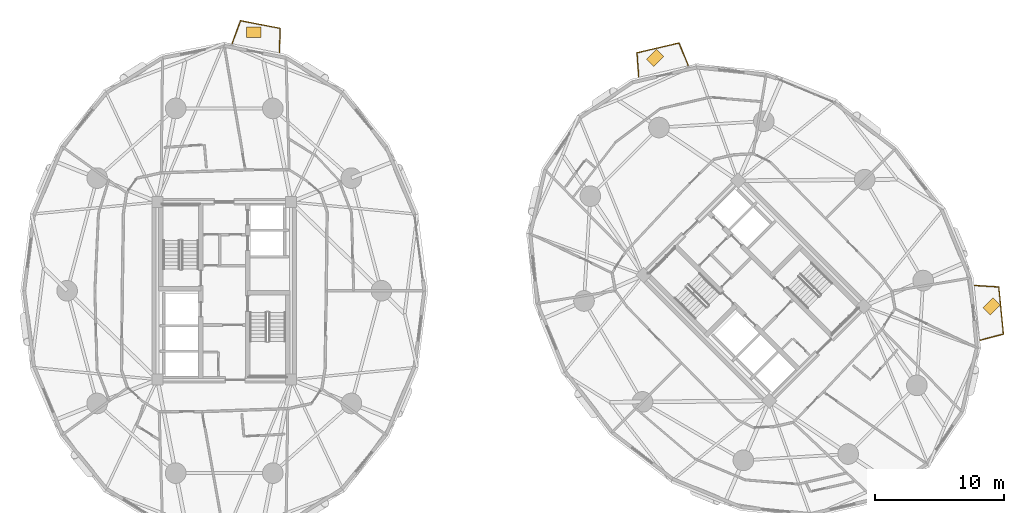
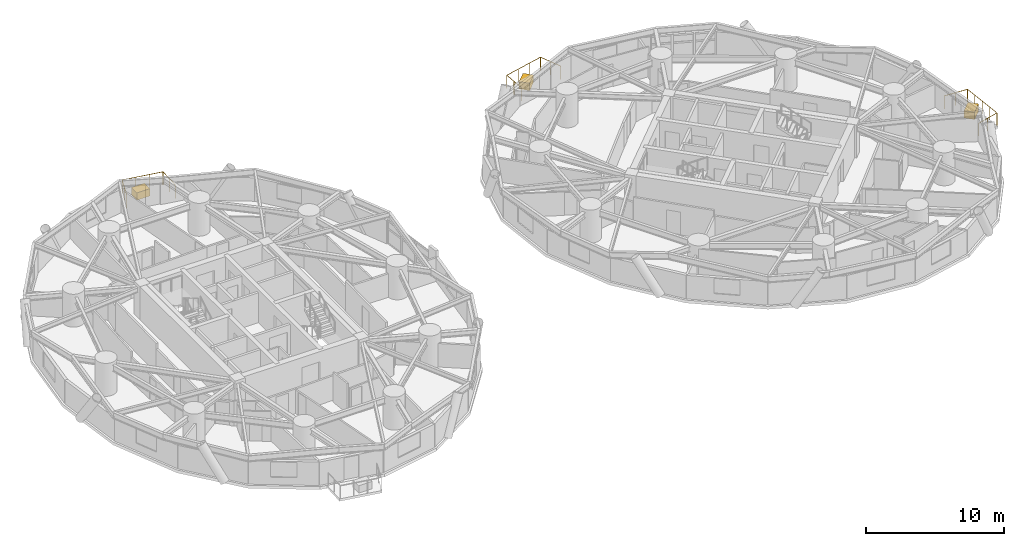
# One storey, part 19 of 19: 3 coverings, 3 railings.
"""IFC4 building model written with IfcOpenShell, lengths in metres."""

import ifcopenshell
import ifcopenshell.guid

model = None  # the IFC model being written
_history = None  # IfcOwnerHistory: only IFC2X3 demands one
_inside = {}  # id of a spatial element -> (the spatial element, [elements in it])
_under = {}  # id of a project, library or spatial element -> (it, [spatial elements below it])
_declared = {}  # id of a project -> (the project, [libraries it declares])
_typed = {}  # id of a type object -> (the type object, [elements of that type])
_made_of = {}  # id of a material, layer set ... -> (it, [elements and type objects made of it])


def new_model(schema):
    """Start an empty IFC model of exactly this schema.

    Asked for "IFC4X3", IfcOpenShell would pick the latest addendum, in which some entities
    have other attributes; the version numbers below select the first issue.
    IFC2X3 requires an IfcOwnerHistory on every rooted entity: one is made here for all.
    """
    global model, _history
    if schema == "IFC4X3":
        model = ifcopenshell.file(schema_version=(4, 3, 0, 0))
    else:
        model = ifcopenshell.file(schema=schema)
    _inside.clear()
    _under.clear()
    _declared.clear()
    _typed.clear()
    _made_of.clear()
    _history = None
    if model.schema == "IFC2X3":
        org = make("IfcOrganization", Name="unknown")
        user = make(
            "IfcPersonAndOrganization",
            ThePerson=make("IfcPerson", FamilyName="unknown"),
            TheOrganization=org,
        )
        app = make(
            "IfcApplication",
            ApplicationDeveloper=org,
            Version="unknown",
            ApplicationFullName="unknown",
            ApplicationIdentifier="unknown",
        )
        _history = make(
            "IfcOwnerHistory",
            OwningUser=user,
            OwningApplication=app,
            ChangeAction="ADDED",
            CreationDate=0,
        )
    return model


def make(cls, **values):
    """One entity of the class cls with the attributes given. An attribute that is None is left unset."""
    return model.create_entity(
        cls, **{name: value for name, value in values.items() if value is not None}
    )


def rooted(cls, **values):
    """An entity with a GlobalId (a new one), such as an element, a storey or a relation."""
    return make(cls, GlobalId=ifcopenshell.guid.new(), OwnerHistory=_history, **values)


def si_unit(unit_type, name, prefix=None):
    """IfcSIUnit, for example si_unit("LENGTHUNIT", "METRE", prefix="MILLI")."""
    return make("IfcSIUnit", UnitType=unit_type, Prefix=prefix, Name=name)


def assignment(units):
    """IfcUnitAssignment: the units of a project."""
    return None if units is None else make("IfcUnitAssignment", Units=units)


def point(xyz):
    """IfcCartesianPoint."""
    return None if xyz is None else make("IfcCartesianPoint", Coordinates=xyz)


def direction(xyz):
    """IfcDirection."""
    return None if xyz is None else make("IfcDirection", DirectionRatios=xyz)


def frame(location, z_axis=None, x_axis=None):
    """IfcAxis2Placement3D, a coordinate frame: its origin and axes. An axis left out is left unset."""
    return make(
        "IfcAxis2Placement3D",
        Location=point(location),
        Axis=direction(z_axis),
        RefDirection=direction(x_axis),
    )


def frame_2d(location, x_axis=None):
    """IfcAxis2Placement2D, a coordinate frame in the plane: its origin and x axis."""
    return make(
        "IfcAxis2Placement2D", Location=point(location), RefDirection=direction(x_axis)
    )


def origin():
    """The frame at (0, 0, 0) with its axes left unset."""
    return frame((0.0, 0.0, 0.0))


def origin_2d():
    """The frame at (0, 0) in the plane with its x axis left unset."""
    return frame_2d((0.0, 0.0))


def place(relative_to, where):
    """IfcLocalPlacement: puts the frame where relative to a parent placement (None: the world)."""
    return make(
        "IfcLocalPlacement", PlacementRelTo=relative_to, RelativePlacement=where
    )


def context(
    kind, dimensions, precision=None, world=None, true_north=None, identifier=None
):
    """IfcGeometricRepresentationContext, for example the 3D "Model" context."""
    return make(
        "IfcGeometricRepresentationContext",
        ContextIdentifier=identifier,
        ContextType=kind,
        CoordinateSpaceDimension=dimensions,
        Precision=precision,
        WorldCoordinateSystem=world,
        TrueNorth=true_north,
    )


def subcontext(parent, identifier, kind, view, scale=None):
    """IfcGeometricRepresentationSubContext, for example "Body" below "Model"."""
    return make(
        "IfcGeometricRepresentationSubContext",
        ContextIdentifier=identifier,
        ContextType=kind,
        ParentContext=parent,
        TargetScale=scale,
        TargetView=view,
    )


def project(units=None, contexts=None):
    """IfcProject with its units and contexts."""
    return rooted(
        "IfcProject",
        Name="project",
        RepresentationContexts=contexts,
        UnitsInContext=assignment(units),
    )


def spatial(cls, under=None, at=None, **own):
    """A site, building, storey or space (cls), placed at a placement, below another one or the project."""
    s = rooted(cls, ObjectPlacement=at, **own)
    if under is not None:
        _under.setdefault(under.id(), (under, []))[1].append(s)
    return s


def profile(cls, at=None, kind="AREA", **sizes):
    """A parametric profile (cls). Its sizes go by their IFC names, for example OverallWidth=200.0."""
    return make(cls, ProfileType=kind, Position=at, **sizes)


def rectangle(**sizes):
    """IfcRectangleProfileDef."""
    return profile("IfcRectangleProfileDef", **sizes)


def circle(**sizes):
    """IfcCircleProfileDef."""
    return profile("IfcCircleProfileDef", **sizes)


def extrude(swept, where, along, depth):
    """IfcExtrudedAreaSolid: the profile swept, set in the frame where, extruded along a direction by depth."""
    return make(
        "IfcExtrudedAreaSolid",
        SweptArea=swept,
        Position=where,
        ExtrudedDirection=direction(along),
        Depth=depth,
    )


def shape(context_of_items, identifier, shape_type, items):
    """IfcShapeRepresentation: the items that make up one representation, for example the "Body"."""
    return make(
        "IfcShapeRepresentation",
        ContextOfItems=context_of_items,
        RepresentationIdentifier=identifier,
        RepresentationType=shape_type,
        Items=items,
    )


def source(mapping_origin, context_of_items, identifier, shape_type, items):
    """IfcRepresentationMap: a shape defined once, which mapped items show again and again."""
    return make(
        "IfcRepresentationMap",
        MappingOrigin=mapping_origin,
        MappedRepresentation=shape(context_of_items, identifier, shape_type, items),
    )


def transform(
    local_origin,
    x_axis=None,
    y_axis=None,
    z_axis=None,
    scale=None,
    scale2=None,
    scale3=None,
    uniform=True,
):
    """IfcCartesianTransformationOperator3D, or its non-uniform kind. x_axis, y_axis, z_axis: its Axis1, 2, 3."""
    if uniform:
        return make(
            "IfcCartesianTransformationOperator3D",
            Axis1=direction(x_axis),
            Axis2=direction(y_axis),
            LocalOrigin=point(local_origin),
            Scale=scale,
            Axis3=direction(z_axis),
        )
    return make(
        "IfcCartesianTransformationOperator3DnonUniform",
        Axis1=direction(x_axis),
        Axis2=direction(y_axis),
        LocalOrigin=point(local_origin),
        Scale=scale,
        Axis3=direction(z_axis),
        Scale2=scale2,
        Scale3=scale3,
    )


def mapped(mapping_source, mapping_target):
    """IfcMappedItem: shows the shape of a source again, moved by a transform."""
    return make(
        "IfcMappedItem", MappingSource=mapping_source, MappingTarget=mapping_target
    )


def material(Name=None, Category=None):
    """IfcMaterial."""
    return make("IfcMaterial", Name=Name, Category=Category)


def layer(
    of_material, thickness, ventilated=None, Name=None, Category=None, Priority=None
):
    """IfcMaterialLayer: one layer of a wall or slab, of a material (None: an air gap)."""
    return make(
        "IfcMaterialLayer",
        Material=of_material,
        LayerThickness=thickness,
        IsVentilated=ventilated,
        Name=Name,
        Category=Category,
        Priority=Priority,
    )


def layer_set(layers, Name=None):
    """IfcMaterialLayerSet."""
    return make("IfcMaterialLayerSet", MaterialLayers=layers, LayerSetName=Name)


def made_of(thing, what):
    """Note that an element or type object is made of a material, layer set ...; save() writes the relation."""
    if what is not None:
        _made_of.setdefault(what.id(), (what, []))[1].append(thing)
    return thing


def type_object(cls, material=None, **own):
    """A type object (cls), such as IfcWallType, which elements share."""
    return made_of(rooted(cls, **own), material)


def element(
    cls,
    number,
    at=None,
    inside=None,
    cuts=None,
    type_object=None,
    material=None,
    context=None,
    identifier="Body",
    shape_type=None,
    held_by="IfcProductDefinitionShape",
    body=None,
    shapes=None,
    **own,
):
    """One element of the class cls, such as IfcWall. Its Tag is "e" and its number.

    at: its placement. inside: the storey or other place that contains it. cuts: it is an
    opening in that element (IfcRelVoidsElement). A single representation is given by context,
    identifier, shape_type and body (its items); several are given by shapes. held_by: the class
    of the entity that holds the representations. save() writes the other relations.
    """
    e = rooted(cls, Tag="e%d" % number, ObjectPlacement=at, **own)
    if body is not None:
        shapes = [shape(context, identifier, shape_type, body)]
    if shapes is not None:
        e.Representation = make(held_by, Representations=shapes)
    if inside is not None:
        _inside.setdefault(inside.id(), (inside, []))[1].append(e)
    if cuts is not None:
        rooted(
            "IfcRelVoidsElement", RelatingBuildingElement=cuts, RelatedOpeningElement=e
        )
    if type_object is not None:
        _typed.setdefault(type_object.id(), (type_object, []))[1].append(e)
    return made_of(e, material)


def aggregate(whole, parts):
    """IfcRelAggregates: a whole, such as a stair, and the parts it consists of."""
    return rooted("IfcRelAggregates", RelatingObject=whole, RelatedObjects=parts)


def save(model, path):
    """Write the relations noted so far, then the file.

    IfcRelAggregates (storeys below a building ...), IfcRelContainedInSpatialStructure (elements
    in a storey), IfcRelDefinesByType, IfcRelAssociatesMaterial and IfcRelDeclares: one each for
    every whole, place, type object, material and project.
    """
    for whole, parts in _under.values():
        aggregate(whole, parts)
    for where, things in _inside.values():
        rooted(
            "IfcRelContainedInSpatialStructure",
            RelatedElements=things,
            RelatingStructure=where,
        )
    for kind, things in _typed.values():
        rooted("IfcRelDefinesByType", RelatedObjects=things, RelatingType=kind)
    for what, things in _made_of.values():
        rooted("IfcRelAssociatesMaterial", RelatedObjects=things, RelatingMaterial=what)
    for by, libraries in _declared.values():
        rooted("IfcRelDeclares", RelatingContext=by, RelatedDefinitions=libraries)
    model.write(path)


model = new_model("IFC4")

# Units and contexts
model_context = context("Model", 3, precision=1e-05, world=origin(), true_north=direction((0.0, 1.0)))
body_context = subcontext(model_context, "Body", "Model", "MODEL_VIEW")
ifc_project = project(units=[si_unit("LENGTHUNIT", "METRE"), si_unit("AREAUNIT", "SQUARE_METRE"), si_unit("VOLUMEUNIT", "CUBIC_METRE"), si_unit("PLANEANGLEUNIT", "RADIAN"), si_unit("MASSUNIT", "GRAM", prefix="KILO")], contexts=[model_context])

# Site, building, storey
site_placement = place(None, origin())
site = spatial("IfcSite", under=ifc_project, at=site_placement, CompositionType="ELEMENT")
building_placement = place(site_placement, origin())
building = spatial("IfcBuilding", under=site, at=building_placement, Name="Cununo Teusaquillo Station Towers", CompositionType="ELEMENT")
storey_placement = place(building_placement, frame((0.0, 0.0, 42.3701171875)))
storey = spatial("IfcBuildingStorey", under=building, at=storey_placement, Name="L12", CompositionType="ELEMENT", Elevation=42.3701171875)

# Railings
ifc_material_1 = material(Name="Anodised dark bronze aluminium EN AW-6063-T6", Category="aluminium")
railing_type_1 = type_object("IfcRailingType", Name="RL-EXT-BALUS", PredefinedType="BALUSTRADE", material=ifc_material_1)
railing_1_placement = place(storey_placement, frame((17.1181640625, 43.671875, 0.0)))
element("IfcRailing", 1, at=railing_1_placement, inside=storey, type_object=railing_type_1, Name="L12 Tower A Balcony Guardrail C04", PredefinedType="BALUSTRADE", context=body_context, shape_type="SweptSolid", body=[
    extrude(circle(Radius=0.02392578125, at=origin_2d()), frame((0.0, 0.0, 1.17578125), z_axis=(0.343888798081, 0.93901038043, 0.0), x_axis=(-0.93901038043, 0.343888798081, 0.0)), (0.0, 0.0, 1.0), 1.86279296875),
    extrude(circle(Radius=0.02392578125, at=origin_2d()), frame((0.640625, 1.749267578125, 1.17578125), z_axis=(0.981838510886, -0.189718577217, 0.0), x_axis=(0.189718577217, 0.981838510886, 0.0)), (0.0, 0.0, 1.0), 3.12841796875),
    extrude(circle(Radius=0.02392578125, at=origin_2d()), frame((3.712158203125, 1.15576171875, 1.17578125), z_axis=(-0.030666047799, -0.999529686159, 0.0), x_axis=(0.999529686159, -0.030666047799, 0.0)), (0.0, 0.0, 1.0), 1.863037109375),
    extrude(circle(Radius=0.02099609375, at=origin_2d()), origin(), (0.0, 0.0, 1.0), 1.15185546875),
    extrude(circle(Radius=0.02099609375, at=origin_2d()), frame((0.3203125, 0.87451171875, 0.0)), (0.0, 0.0, 1.0), 1.15185546875),
    extrude(circle(Radius=0.02099609375, at=origin_2d()), frame((0.640625, 1.749267578125, 0.0)), (0.0, 0.0, 1.0), 1.15185546875),
    extrude(circle(Radius=0.02099609375, at=origin_2d()), frame((1.66455078125, 1.551513671875, 0.0)), (0.0, 0.0, 1.0), 1.15185546875),
    extrude(circle(Radius=0.02099609375, at=origin_2d()), frame((2.688232421875, 1.353515625, 0.0)), (0.0, 0.0, 1.0), 1.15185546875),
    extrude(circle(Radius=0.02099609375, at=origin_2d()), frame((3.712158203125, 1.15576171875, 0.0)), (0.0, 0.0, 1.0), 1.15185546875),
    extrude(circle(Radius=0.02099609375, at=origin_2d()), frame((3.68359375, 0.224609375, 0.0)), (0.0, 0.0, 1.0), 1.15185546875),
    extrude(circle(Radius=0.02099609375, at=origin_2d()), frame((3.655029296875, -0.706298828125, 0.0)), (0.0, 0.0, 1.0), 1.15185546875),
])
railing_2_placement = place(storey_placement, frame((48.599609375, 41.072998046875, 0.0)))
element("IfcRailing", 2, at=railing_2_placement, inside=storey, type_object=railing_type_1, Name="L12 Tower B Balcony Guardrail C03", PredefinedType="BALUSTRADE", context=body_context, shape_type="SweptSolid", body=[
    extrude(circle(Radius=0.02392578125, at=origin_2d()), frame((0.0, 0.0, 1.17578125), z_axis=(-0.069071464102, 0.99761171447, 0.0), x_axis=(-0.99761171447, -0.069071464102, 0.0)), (0.0, 0.0, 1.0), 1.8662109375),
    extrude(circle(Radius=0.02392578125, at=origin_2d()), frame((-0.12890625, 1.86181640625, 1.17578125), z_axis=(0.973837434366, 0.227245795181, 0.0), x_axis=(-0.227245795181, 0.973837434366, 0.0)), (0.0, 0.0, 1.0), 3.339111328125),
    extrude(circle(Radius=0.02392578125, at=origin_2d()), frame((3.122802734375, 2.62060546875, 1.17578125), z_axis=(0.379697009534, -0.925110901974, 0.0), x_axis=(0.925110901974, 0.379697009534, 0.0)), (0.0, 0.0, 1.0), 1.86669921875),
    extrude(circle(Radius=0.02099609375, at=origin_2d()), origin(), (0.0, 0.0, 1.0), 1.15185546875),
    extrude(circle(Radius=0.02099609375, at=origin_2d()), frame((-0.064453125, 0.930908203125, 0.0)), (0.0, 0.0, 1.0), 1.15185546875),
    extrude(circle(Radius=0.02099609375, at=origin_2d()), frame((-0.12890625, 1.86181640625, 0.0)), (0.0, 0.0, 1.0), 1.15185546875),
    extrude(circle(Radius=0.02099609375, at=origin_2d()), frame((0.955078125, 2.11474609375, 0.0)), (0.0, 0.0, 1.0), 1.15185546875),
    extrude(circle(Radius=0.02099609375, at=origin_2d()), frame((2.038818359375, 2.36767578125, 0.0)), (0.0, 0.0, 1.0), 1.15185546875),
    extrude(circle(Radius=0.02099609375, at=origin_2d()), frame((3.122802734375, 2.62060546875, 0.0)), (0.0, 0.0, 1.0), 1.15185546875),
    extrude(circle(Radius=0.02099609375, at=origin_2d()), frame((3.47705078125, 1.75732421875, 0.0)), (0.0, 0.0, 1.0), 1.15185546875),
    extrude(circle(Radius=0.02099609375, at=origin_2d()), frame((3.83154296875, 0.893798828125, 0.0)), (0.0, 0.0, 1.0), 1.15185546875),
])
ifc_material_2 = material(Name="Anodised dark bronze aluminium EN AW-6063-T6", Category="aluminium")
railing_type_2 = type_object("IfcRailingType", Name="RL-EXT-GUARD", PredefinedType="GUARDRAIL", material=ifc_material_2)
railing_3_placement = place(storey_placement, frame((74.62548828125, 24.908935546875, 0.0)))
element("IfcRailing", 3, at=railing_3_placement, inside=storey, type_object=railing_type_2, Name="L12 Tower B Balcony Guardrail C17", PredefinedType="GUARDRAIL", context=body_context, shape_type="SweptSolid", body=[
    extrude(circle(Radius=0.02392578125, at=origin_2d()), frame((0.0, 0.0, 1.1259765625), z_axis=(0.998125995289, -0.06119229958, 0.0), x_axis=(0.06119229958, 0.998125995289, 0.0)), (0.0, 0.0, 1.0), 1.87109375),
    extrude(circle(Radius=0.02392578125, at=origin_2d()), frame((1.86767578125, -0.114501953125, 1.1259765625), z_axis=(0.098626153008, -0.995124555994, 0.0), x_axis=(0.995124555994, 0.098626153008, 0.0)), (0.0, 0.0, 1.0), 3.66357421875),
    extrude(circle(Radius=0.02392578125, at=origin_2d()), frame((2.22900390625, -3.76025390625, 1.1259765625), z_axis=(-0.966711872739, -0.255867456127, 0.0), x_axis=(0.255867456127, -0.966711872739, 0.0)), (0.0, 0.0, 1.0), 1.87109375),
    extrude(circle(Radius=0.02099609375, at=origin_2d()), origin(), (0.0, 0.0, 1.0), 1.101806640625),
    extrude(circle(Radius=0.02099609375, at=origin_2d()), frame((0.933837890625, -0.05712890625, 0.0)), (0.0, 0.0, 1.0), 1.101806640625),
    extrude(circle(Radius=0.02099609375, at=origin_2d()), frame((1.86767578125, -0.114501953125, 0.0)), (0.0, 0.0, 1.0), 1.101806640625),
    extrude(circle(Radius=0.02099609375, at=origin_2d()), frame((1.9580078125, -1.02587890625, 0.0)), (0.0, 0.0, 1.0), 1.101806640625),
    extrude(circle(Radius=0.02099609375, at=origin_2d()), frame((2.04833984375, -1.9375, 0.0)), (0.0, 0.0, 1.0), 1.101806640625),
    extrude(circle(Radius=0.02099609375, at=origin_2d()), frame((2.138671875, -2.848876953125, 0.0)), (0.0, 0.0, 1.0), 1.101806640625),
    extrude(circle(Radius=0.02099609375, at=origin_2d()), frame((2.22900390625, -3.76025390625, 0.0)), (0.0, 0.0, 1.0), 1.101806640625),
    extrude(circle(Radius=0.02099609375, at=origin_2d()), frame((1.32470703125, -3.99951171875, 0.0)), (0.0, 0.0, 1.0), 1.101806640625),
    extrude(circle(Radius=0.02099609375, at=origin_2d()), frame((0.420166015625, -4.239013671875, 0.0)), (0.0, 0.0, 1.0), 1.101806640625),
])

# Coverings
ifc_material_3 = material(Name="Architectural GRC planter shell and engineered root-zone substrate", Category="concrete")
ifc_layer = layer(ifc_material_3, 0.64990234375)
ifc_layer_set = layer_set([ifc_layer], Name="Architectural GRC planter shell and engineered root-zone substrate")
covering_type = type_object("IfcCoveringType", Name="COV-TREE-PLANTER", PredefinedType="CLADDING", material=ifc_layer_set)
shared_shape = source(origin(), body_context, "Body", "SweptSolid", [
    extrude(rectangle(XDim=1.10009765625, YDim=0.800048828125, at=origin_2d()), origin(), (0.0, 0.0, 1.0), 0.64990234375),
])
for number, where, z_axis, x_axis, name in (
    (4, (18.78515625, 44.51708984375, 0.0), (0.0, 0.0, 1.0), (1.0, 0.0, 0.0), "L12 Tower A Balcony Tree PLANTER C04"),
    (5, (49.87939453125, 42.550048828125, 0.0), (0.0, 0.0, 1.0), (0.707106781187, 0.707106781187, 0.0), "L12 Tower B Balcony Tree PLANTER C03"),
    (6, (75.94189453125, 23.285888671875, 0.0), (0.0, 0.0, 1.0), (0.707106781187, 0.707106781187, 0.0), "L12 Tower B Balcony Tree PLANTER C17"),
):
    element("IfcCovering", number, at=place(storey_placement, frame(where, z_axis=z_axis, x_axis=x_axis)), inside=storey, type_object=covering_type, Name=name, PredefinedType="CLADDING", context=body_context, shape_type="MappedRepresentation", body=[
        mapped(shared_shape, transform((0.0, 0.0, 0.0), x_axis=(1.0, 0.0, 0.0), y_axis=(0.0, 1.0, 0.0), z_axis=(0.0, 0.0, 1.0), scale=1.0)),
    ])

save(model, "model.ifc")
